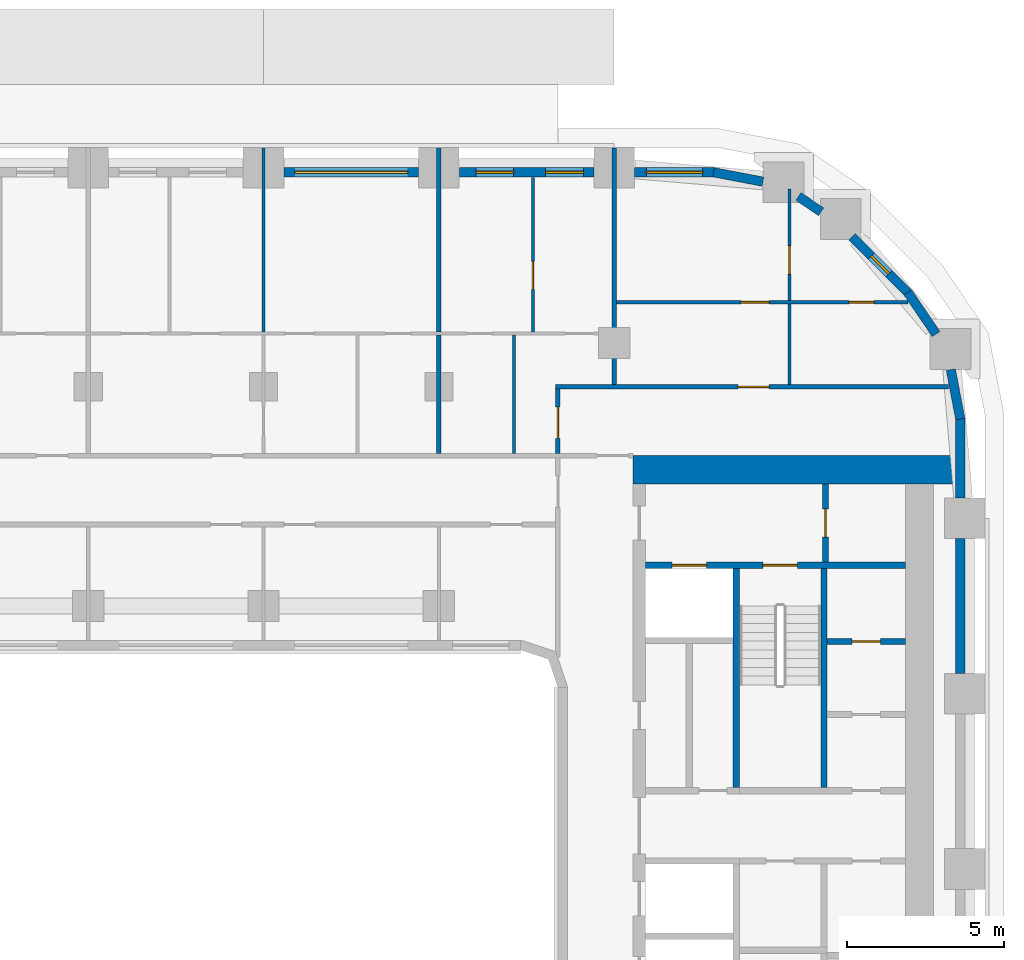
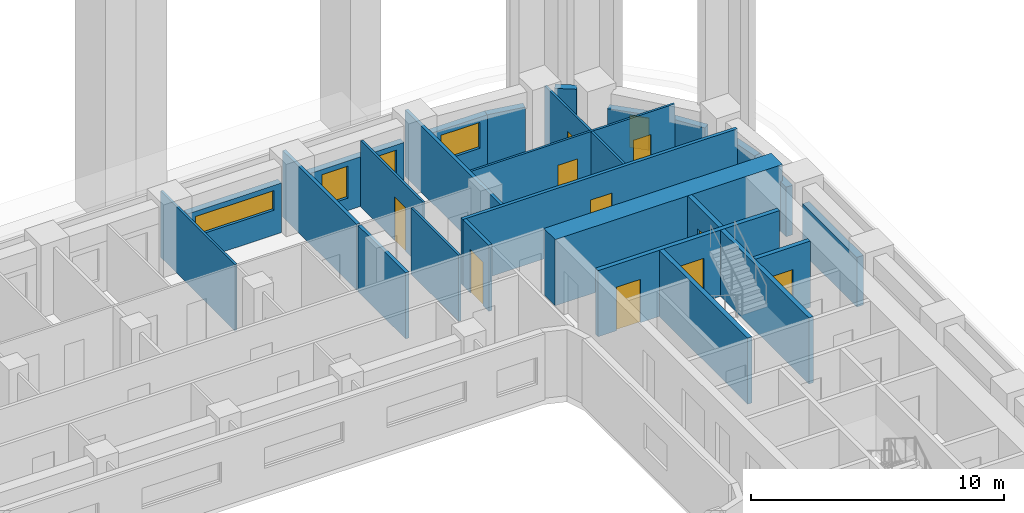
# One storey, part 10 of 19: 27 walls, 10 doors, 5 windows, 15 openings.
"""IFC4 building model written with IfcOpenShell, lengths in metres."""

from ifc_helpers import new_model, si_unit, direction, frame, frame_2d, origin, place, context, subcontext, project, spatial, rectangle, extrude, material, layer, layer_set, type_object, element, fill, save


model = new_model("IFC4")

# Units and contexts
model_context = context("Model", 3, precision=1e-05, world=origin(), true_north=direction((0.0, 1.0)))
body_context = subcontext(model_context, "Body", "Model", "MODEL_VIEW")
ifc_project = project(units=[si_unit("LENGTHUNIT", "METRE"), si_unit("AREAUNIT", "SQUARE_METRE"), si_unit("VOLUMEUNIT", "CUBIC_METRE"), si_unit("PLANEANGLEUNIT", "RADIAN"), si_unit("MASSUNIT", "GRAM", prefix="KILO")], contexts=[model_context])

# Site, building, storey
site_placement = place(None, origin())
site = spatial("IfcSite", under=ifc_project, at=site_placement, CompositionType="ELEMENT")
building_placement = place(site_placement, origin())
building = spatial("IfcBuilding", under=site, at=building_placement, Name="Kiln Ring Residences", CompositionType="ELEMENT")
storey_placement = place(building_placement, frame((0.0, 0.0, 83.300048828125)))
storey = spatial("IfcBuildingStorey", under=building, at=storey_placement, Name="L20", CompositionType="ELEMENT", Elevation=83.300048828125)

# Wall, opening, door
ifc_material_1 = material(Name="Gypsum board on steel studs", Category="steel")
ifc_layer_1 = layer(ifc_material_1, 0.199951171875)
ifc_layer_set_1 = layer_set([ifc_layer_1], Name="CORE-PARTITION-200")
wall_type_1 = type_object("IfcWallType", Name="CORE-PARTITION-200", PredefinedType="PARTITIONING", material=ifc_layer_set_1)
wall_1_placement = place(storey_placement, frame((23.550048828125, 9.800048828125, 0.0), z_axis=(0.0, 0.0, 1.0), x_axis=(0.0, 1.0, 0.0)))
wall_1 = element("IfcWall", 1, at=wall_1_placement, inside=storey, type_object=wall_type_1, Name="Core partition east L20 4", PredefinedType="PARTITIONING", context=body_context, shape_type="SweptSolid", body=[
    extrude(rectangle(XDim=2.5, YDim=0.199951171875, at=frame_2d((1.25, 0.0))), origin(), (0.0, 0.0, 1.0), 3.199951171875),
])
opening_1_placement = place(wall_1_placement, frame((0.800048828125, 0.0, 0.0)))
opening_1 = element("IfcOpeningElement", 2, at=opening_1_placement, cuts=wall_1, Name="Opening L20-CE10", PredefinedType="OPENING", context=body_context, shape_type="SweptSolid", body=[
    extrude(rectangle(XDim=0.89990234375, YDim=2.10009765625, at=frame_2d((0.449951171875, 1.050048828125))), frame((0.0, 0.10986328125, 0.0), z_axis=(0.0, -1.0, 0.0), x_axis=(1.0, 0.0, 0.0)), (0.0, 0.0, 1.0), 0.219970703125),
])
ifc_material_2 = material(Name="Steel door leaf", Category="steel")
door_type_1 = type_object("IfcDoorType", Name="CORE-DOOR-ROOM", OperationType="SINGLE_SWING_LEFT", PredefinedType="DOOR", material=ifc_material_2)
door_1_placement = place(opening_1_placement, origin())
door_1 = element("IfcDoor", 3, at=door_1_placement, inside=storey, type_object=door_type_1, Name="Fire riser room L20-CE10", OperationType="SINGLE_SWING_LEFT", OverallHeight=2.10009765625, OverallWidth=0.89990234375, PredefinedType="DOOR", context=body_context, shape_type="SweptSolid", body=[
    extrude(rectangle(XDim=0.89990234375, YDim=2.10009765625, at=frame_2d((0.449951171875, 1.050048828125))), frame((0.0, 0.02490234375, 0.0), z_axis=(0.0, -1.0, 0.0), x_axis=(1.0, 0.0, 0.0)), (0.0, 0.0, 1.0), 0.050048828125),
])
fill(opening_1, door_1)

wall_2_placement = place(storey_placement, frame((23.60009765625, 7.2666015625, 0.0), z_axis=(0.0, 0.0, 1.0), x_axis=(1.0, 0.0, 0.0)))
wall_2 = element("IfcWall", 4, at=wall_2_placement, inside=storey, type_object=wall_type_1, Name="Core partition east L20 9", PredefinedType="PARTITIONING", context=body_context, shape_type="SweptSolid", body=[
    extrude(rectangle(XDim=2.5, YDim=0.199951171875, at=frame_2d((1.25, 0.0))), origin(), (0.0, 0.0, 1.0), 3.199951171875),
])
opening_2_placement = place(wall_2_placement, frame((0.800048828125, 0.0, 0.0)))
opening_2 = element("IfcOpeningElement", 5, at=opening_2_placement, cuts=wall_2, Name="Opening L20-CE20", PredefinedType="OPENING", context=body_context, shape_type="SweptSolid", body=[
    extrude(rectangle(XDim=0.89990234375, YDim=2.10009765625, at=frame_2d((0.449951171875, 1.050048828125))), frame((0.0, 0.10986328125, 0.0), z_axis=(0.0, -1.0, 0.0), x_axis=(1.0, 0.0, 0.0)), (0.0, 0.0, 1.0), 0.219970703125),
])
door_2_placement = place(opening_2_placement, origin())
door_2 = element("IfcDoor", 6, at=door_2_placement, inside=storey, type_object=door_type_1, Name="Comms room L20-CE20", OperationType="SINGLE_SWING_RIGHT", OverallHeight=2.10009765625, OverallWidth=0.89990234375, PredefinedType="DOOR", context=body_context, shape_type="SweptSolid", body=[
    extrude(rectangle(XDim=0.89990234375, YDim=2.10009765625, at=frame_2d((0.449951171875, 1.050048828125))), frame((0.0, 0.02490234375, 0.0), z_axis=(0.0, -1.0, 0.0), x_axis=(1.0, 0.0, 0.0)), (0.0, 0.0, 1.0), 0.050048828125),
])
fill(opening_2, door_2)

# Wall
ifc_material_3 = material(Name="Concrete C40/50", Category="concrete")
ifc_layer_2 = layer(ifc_material_3, 0.199951171875)
ifc_layer_set_2 = layer_set([ifc_layer_2], Name="CORE-WALL-RC200")
wall_type_2 = type_object("IfcWallType", Name="CORE-WALL-RC200", PredefinedType="SHEAR", material=ifc_layer_set_2)
wall_3_placement = place(storey_placement, frame((20.699951171875, 2.60009765625, 0.0), z_axis=(0.0, 0.0, 1.0), x_axis=(0.0, 1.0, 0.0)))
element("IfcWall", 7, at=wall_3_placement, inside=storey, type_object=wall_type_2, Name="Core wall east L20 1", PredefinedType="SHEAR", context=body_context, shape_type="SweptSolid", body=[
    extrude(rectangle(XDim=7.0, YDim=0.199951171875, at=frame_2d((3.5, 0.0))), origin(), (0.0, 0.0, 1.0), 3.199951171875),
])

# Wall, openings, doors
wall_4_placement = place(storey_placement, frame((17.800048828125, 9.699951171875, 0.0), z_axis=(0.0, 0.0, 1.0), x_axis=(1.0, 0.0, 0.0)))
wall_4 = element("IfcWall", 8, at=wall_4_placement, inside=storey, type_object=wall_type_2, Name="Core wall east L20 9", PredefinedType="SHEAR", context=body_context, shape_type="SweptSolid", body=[
    extrude(rectangle(XDim=8.300048828125, YDim=0.199951171875, at=frame_2d((4.14990234375, 0.0))), origin(), (0.0, 0.0, 1.0), 3.199951171875),
])
opening_3_placement = place(wall_4_placement, frame((0.85009765625, 0.0, 0.0)))
opening_3 = element("IfcOpeningElement", 9, at=opening_3_placement, cuts=wall_4, Name="Opening L20-CE07", PredefinedType="OPENING", context=body_context, shape_type="SweptSolid", body=[
    extrude(rectangle(XDim=1.10009765625, YDim=2.10009765625, at=frame_2d((0.550048828125, 1.050048828125))), frame((0.0, 0.10986328125, 0.0), z_axis=(0.0, -1.0, 0.0), x_axis=(1.0, 0.0, 0.0)), (0.0, 0.0, 1.0), 0.219970703125),
])
opening_4_placement = place(wall_4_placement, frame((3.75, 0.0, 0.0)))
opening_4 = element("IfcOpeningElement", 10, at=opening_4_placement, cuts=wall_4, Name="Opening L20-CE12", PredefinedType="OPENING", context=body_context, shape_type="SweptSolid", body=[
    extrude(rectangle(XDim=1.10009765625, YDim=2.10009765625, at=frame_2d((0.550048828125, 1.050048828125))), frame((0.0, 0.10986328125, 0.0), z_axis=(0.0, -1.0, 0.0), x_axis=(1.0, 0.0, 0.0)), (0.0, 0.0, 1.0), 0.219970703125),
])
ifc_material_4 = material(Name="Steel door leaf", Category="steel")
door_type_2 = type_object("IfcDoorType", Name="CORE-DOOR-LD", OperationType="DOUBLE_DOOR_SLIDING", PredefinedType="DOOR", material=ifc_material_4)
door_3_placement = place(opening_3_placement, origin())
door_3 = element("IfcDoor", 11, at=door_3_placement, inside=storey, type_object=door_type_2, Name="LD E-FF L20-CE07", OperationType="DOUBLE_DOOR_SLIDING", OverallHeight=2.10009765625, OverallWidth=1.10009765625, PredefinedType="DOOR", context=body_context, shape_type="SweptSolid", body=[
    extrude(rectangle(XDim=1.10009765625, YDim=2.10009765625, at=frame_2d((0.550048828125, 1.050048828125))), frame((0.0, 0.02490234375, 0.0), z_axis=(0.0, -1.0, 0.0), x_axis=(1.0, 0.0, 0.0)), (0.0, 0.0, 1.0), 0.050048828125),
])
fill(opening_3, door_3)
ifc_material_5 = material(Name="Steel door leaf", Category="steel")
door_type_3 = type_object("IfcDoorType", Name="CORE-DOOR-STAIR", OperationType="SINGLE_SWING_LEFT", PredefinedType="DOOR", material=ifc_material_5)
door_4_placement = place(opening_4_placement, origin())
door_4 = element("IfcDoor", 12, at=door_4_placement, inside=storey, type_object=door_type_3, Name="Stair E-STN L20-CE12", OperationType="SINGLE_SWING_LEFT", OverallHeight=2.10009765625, OverallWidth=1.10009765625, PredefinedType="DOOR", context=body_context, shape_type="SweptSolid", body=[
    extrude(rectangle(XDim=1.10009765625, YDim=2.10009765625, at=frame_2d((0.550048828125, 1.050048828125))), frame((0.0, 0.02490234375, 0.0), z_axis=(0.0, -1.0, 0.0), x_axis=(1.0, 0.0, 0.0)), (0.0, 0.0, 1.0), 0.050048828125),
])
fill(opening_4, door_4)

# Walls
wall_5_placement = place(storey_placement, frame((23.5, 2.60009765625, 0.0), z_axis=(0.0, 0.0, 1.0), x_axis=(0.0, 1.0, 0.0)))
element("IfcWall", 13, at=wall_5_placement, inside=storey, type_object=wall_type_2, Name="Core wall east L20 10", PredefinedType="SHEAR", context=body_context, shape_type="SweptSolid", body=[
    extrude(rectangle(XDim=7.0, YDim=0.199951171875, at=frame_2d((3.5, 0.0))), origin(), (0.0, 0.0, 1.0), 3.199951171875),
])
ifc_material_6 = material(Name="Concrete C60/75", Category="concrete")
ifc_layer_3 = layer(ifc_material_6, 0.89990234375)
ifc_layer_set_3 = layer_set([ifc_layer_3], Name="CORE-WALL-RC900")
wall_type_3 = type_object("IfcWallType", Name="CORE-WALL-RC900", PredefinedType="SHEAR", material=ifc_layer_set_3)
wall_6_placement = place(storey_placement, frame((17.39990234375, 12.75, 0.0), z_axis=(0.0, 0.0, 1.0), x_axis=(1.0, 0.0, 0.0)))
element("IfcWall", 14, at=wall_6_placement, inside=storey, type_object=wall_type_3, Name="Core wall east L20 4", PredefinedType="SHEAR", context=body_context, shape_type="SweptSolid", body=[
    extrude(rectangle(XDim=10.400146484375, YDim=0.89990234375, at=frame_2d((5.2001953125, 0.0))), origin(), (0.0, 0.0, 1.0), 3.199951171875),
])
ifc_material_7 = material(Name="Brick masonry, dark clay brick", Category="masonry")
ifc_layer_4 = layer(ifc_material_7, 0.300048828125)
ifc_layer_set_4 = layer_set([ifc_layer_4], Name="EW-300 BRICK WALL")
wall_type_4 = type_object("IfcWallType", Name="EW-300 BRICK WALL", PredefinedType="SOLIDWALL", material=ifc_layer_set_4)
wall_7_placement = place(storey_placement, frame((27.85009765625, 6.25, 0.0), z_axis=(0.0, 0.0, 1.0), x_axis=(0.0, 1.0, 0.0)))
element("IfcWall", 15, at=wall_7_placement, inside=storey, type_object=wall_type_4, Name="Facade wall L20 21", PredefinedType="SOLIDWALL", context=body_context, shape_type="SweptSolid", body=[
    extrude(rectangle(XDim=4.300048828125, YDim=0.300048828125, at=frame_2d((2.14990234375, 0.0))), origin(), (0.0, 0.0, 1.0), 2.39990234375),
])
wall_8_placement = place(storey_placement, frame((27.85009765625, 11.85009765625, 0.0), z_axis=(0.0, 0.0, 1.0), x_axis=(0.0, 1.0, 0.0)))
element("IfcWall", 16, at=wall_8_placement, inside=storey, type_object=wall_type_4, Name="Facade wall L20 22", PredefinedType="SOLIDWALL", context=body_context, shape_type="SweptSolid", body=[
    extrude(rectangle(XDim=2.5498046875, YDim=0.300048828125, at=frame_2d((1.27490234375, 0.0))), origin(), (0.0, 0.0, 1.0), 2.39990234375),
])
for number, where, z_axis, x_axis, name in (
    (17, (27.8525390625, 14.371826171875, 0.0), (0.0, 0.0, 1.0), (-0.187279751651, 0.982306619453, 0.0), "Facade wall L20 23"),
    (18, (27.08154296875, 17.08447265625, 0.0), (0.0, 0.0, 1.0), (-0.562010605531, 0.827130025613, 0.0), "Facade wall L20 24"),
):
    element("IfcWall", number, at=place(storey_placement, frame(where, z_axis=z_axis, x_axis=x_axis)), inside=storey, type_object=wall_type_4, Name=name, PredefinedType="SOLIDWALL", context=body_context, shape_type="SweptSolid", body=[
        extrude(rectangle(XDim=1.60595703125, YDim=0.300048828125, at=frame_2d((0.802978515625, 0.0))), origin(), (0.0, 0.0, 1.0), 2.39990234375),
    ])

# Wall, opening, window
wall_9_placement = place(storey_placement, frame((26.19677734375, 18.390869140625, 0.0), z_axis=(0.0, 0.0, 1.0), x_axis=(-0.707058908279, 0.707154650853, 0.0)))
wall_9 = element("IfcWall", 19, at=wall_9_placement, inside=storey, type_object=wall_type_4, Name="Facade wall L20 25", PredefinedType="SOLIDWALL", context=body_context, shape_type="SweptSolid", body=[
    extrude(rectangle(XDim=2.550048828125, YDim=0.300048828125, at=frame_2d((1.27490234375, 0.0))), origin(), (0.0, 0.0, 1.0), 2.39990234375),
])
opening_5_placement = place(wall_9_placement, frame((0.875, 0.0, 0.60009765625)))
opening_5 = element("IfcOpeningElement", 20, at=opening_5_placement, cuts=wall_9, Name="Opening W5", PredefinedType="OPENING", context=body_context, shape_type="SweptSolid", body=[
    extrude(rectangle(XDim=0.800048828125, YDim=1.550048828125, at=frame_2d((0.39990234375, 0.77490234375))), frame((0.0, 0.159912109375, 0.0), z_axis=(0.0, -1.0, 0.0), x_axis=(1.0, 0.0, 0.0)), (0.0, 0.0, 1.0), 0.320068359375),
])
ifc_material_8 = material(Name="Aluminium frame with double glazing", Category="aluminium")
window_type_1 = type_object("IfcWindowType", Name="WINDOW 800 x 1550", PartitioningType="SINGLE_PANEL", PredefinedType="WINDOW", material=ifc_material_8)
window_1_placement = place(opening_5_placement, origin())
window_1 = element("IfcWindow", 21, at=window_1_placement, inside=storey, type_object=window_type_1, Name="Window L20 15", OverallHeight=1.550048828125, OverallWidth=0.800048828125, PartitioningType="SINGLE_PANEL", PredefinedType="WINDOW", context=body_context, shape_type="SweptSolid", body=[
    extrude(rectangle(XDim=0.800048828125, YDim=1.550048828125, at=frame_2d((0.39990234375, 0.77490234375))), frame((0.0, 0.030029296875, 0.0), z_axis=(0.0, -1.0, 0.0), x_axis=(1.0, 0.0, 0.0)), (0.0, 0.0, 1.0), 0.06005859375),
])
fill(opening_5, window_1)

# Walls
wall_10_placement = place(storey_placement, frame((23.409912109375, 20.988525390625, 0.0), z_axis=(0.0, 0.0, 1.0), x_axis=(-0.827050703543, 0.562127328787, 0.0)))
element("IfcWall", 22, at=wall_10_placement, inside=storey, type_object=wall_type_4, Name="Facade wall L20 26", PredefinedType="SOLIDWALL", context=body_context, shape_type="SweptSolid", body=[
    extrude(rectangle(XDim=0.877197265625, YDim=0.300048828125, at=frame_2d((0.4384765625, 0.0))), origin(), (0.0, 0.0, 1.0), 3.199951171875),
])
wall_11_placement = place(storey_placement, frame((21.549560546875, 21.95166015625, 0.0), z_axis=(0.0, 0.0, 1.0), x_axis=(-0.982278644094, 0.187426426519, 0.0)))
element("IfcWall", 23, at=wall_11_placement, inside=storey, type_object=wall_type_4, Name="Facade wall L20 27", PredefinedType="SOLIDWALL", context=body_context, shape_type="SweptSolid", body=[
    extrude(rectangle(XDim=1.606201171875, YDim=0.300048828125, at=frame_2d((0.80322265625, 0.0))), origin(), (0.0, 0.0, 1.0), 2.39990234375),
])

# Wall, opening, window
wall_12_placement = place(storey_placement, frame((20.0, 22.25, 0.0), z_axis=(0.0, 0.0, 1.0), x_axis=(-1.0, 0.0, 0.0)))
wall_12 = element("IfcWall", 24, at=wall_12_placement, inside=storey, type_object=wall_type_4, Name="Facade wall L20 28", PredefinedType="SOLIDWALL", context=body_context, shape_type="SweptSolid", body=[
    extrude(rectangle(XDim=2.550048828125, YDim=0.300048828125, at=frame_2d((1.27490234375, 0.0))), origin(), (0.0, 0.0, 1.0), 2.39990234375),
])
opening_6_placement = place(wall_12_placement, frame((0.375, 0.0, 0.89990234375)))
opening_6 = element("IfcOpeningElement", 25, at=opening_6_placement, cuts=wall_12, Name="Opening W2", PredefinedType="OPENING", context=body_context, shape_type="SweptSolid", body=[
    extrude(rectangle(XDim=1.800048828125, YDim=1.25, at=frame_2d((0.89990234375, 0.625))), frame((0.0, 0.159912109375, 0.0), z_axis=(0.0, -1.0, 0.0), x_axis=(1.0, 0.0, 0.0)), (0.0, 0.0, 1.0), 0.320068359375),
])
ifc_material_9 = material(Name="Aluminium frame with double glazing", Category="aluminium")
window_type_2 = type_object("IfcWindowType", Name="WINDOW 1800 x 1250", PartitioningType="SINGLE_PANEL", PredefinedType="WINDOW", material=ifc_material_9)
window_2_placement = place(opening_6_placement, origin())
window_2 = element("IfcWindow", 26, at=window_2_placement, inside=storey, type_object=window_type_2, Name="Window L20 16", OverallHeight=1.25, OverallWidth=1.800048828125, PartitioningType="SINGLE_PANEL", PredefinedType="WINDOW", context=body_context, shape_type="SweptSolid", body=[
    extrude(rectangle(XDim=1.800048828125, YDim=1.25, at=frame_2d((0.89990234375, 0.625))), frame((0.0, 0.030029296875, 0.0), z_axis=(0.0, -1.0, 0.0), x_axis=(1.0, 0.0, 0.0)), (0.0, 0.0, 1.0), 0.06005859375),
])
fill(opening_6, window_2)

# Wall, openings, windows
wall_13_placement = place(storey_placement, frame((16.14990234375, 22.25, 0.0), z_axis=(0.0, 0.0, 1.0), x_axis=(-1.0, 0.0, 0.0)))
wall_13 = element("IfcWall", 27, at=wall_13_placement, inside=storey, type_object=wall_type_4, Name="Facade wall L20 29", PredefinedType="SOLIDWALL", context=body_context, shape_type="SweptSolid", body=[
    extrude(rectangle(XDim=4.2998046875, YDim=0.300048828125, at=frame_2d((2.14990234375, 0.0))), origin(), (0.0, 0.0, 1.0), 2.39990234375),
])
opening_7_placement = place(wall_13_placement, frame((0.33740234375, 0.0, 0.60009765625)))
opening_7 = element("IfcOpeningElement", 28, at=opening_7_placement, cuts=wall_13, Name="Opening W1", PredefinedType="OPENING", context=body_context, shape_type="SweptSolid", body=[
    extrude(rectangle(XDim=1.199951171875, YDim=1.550048828125, at=frame_2d((0.60009765625, 0.77490234375))), frame((0.0, 0.159912109375, 0.0), z_axis=(0.0, -1.0, 0.0), x_axis=(1.0, 0.0, 0.0)), (0.0, 0.0, 1.0), 0.320068359375),
])
opening_8_placement = place(wall_13_placement, frame((2.5625, 0.0, 0.60009765625)))
opening_8 = element("IfcOpeningElement", 29, at=opening_8_placement, cuts=wall_13, Name="Opening W1", PredefinedType="OPENING", context=body_context, shape_type="SweptSolid", body=[
    extrude(rectangle(XDim=1.199951171875, YDim=1.550048828125, at=frame_2d((0.60009765625, 0.77490234375))), frame((0.0, 0.159912109375, 0.0), z_axis=(0.0, -1.0, 0.0), x_axis=(1.0, 0.0, 0.0)), (0.0, 0.0, 1.0), 0.320068359375),
])
ifc_material_10 = material(Name="Aluminium frame with double glazing", Category="aluminium")
window_type_3 = type_object("IfcWindowType", Name="WINDOW 1200 x 1550", PartitioningType="SINGLE_PANEL", PredefinedType="WINDOW", material=ifc_material_10)
window_3_placement = place(opening_7_placement, origin())
window_3 = element("IfcWindow", 30, at=window_3_placement, inside=storey, type_object=window_type_3, Name="Window L20 17", OverallHeight=1.550048828125, OverallWidth=1.199951171875, PartitioningType="SINGLE_PANEL", PredefinedType="WINDOW", context=body_context, shape_type="SweptSolid", body=[
    extrude(rectangle(XDim=1.199951171875, YDim=1.550048828125, at=frame_2d((0.60009765625, 0.77490234375))), frame((0.0, 0.030029296875, 0.0), z_axis=(0.0, -1.0, 0.0), x_axis=(1.0, 0.0, 0.0)), (0.0, 0.0, 1.0), 0.06005859375),
])
fill(opening_7, window_3)
window_4_placement = place(opening_8_placement, origin())
window_4 = element("IfcWindow", 31, at=window_4_placement, inside=storey, type_object=window_type_3, Name="Window L20 18", OverallHeight=1.550048828125, OverallWidth=1.199951171875, PartitioningType="SINGLE_PANEL", PredefinedType="WINDOW", context=body_context, shape_type="SweptSolid", body=[
    extrude(rectangle(XDim=1.199951171875, YDim=1.550048828125, at=frame_2d((0.60009765625, 0.77490234375))), frame((0.0, 0.030029296875, 0.0), z_axis=(0.0, -1.0, 0.0), x_axis=(1.0, 0.0, 0.0)), (0.0, 0.0, 1.0), 0.06005859375),
])
fill(opening_8, window_4)

# Wall, opening, window
wall_14_placement = place(storey_placement, frame((10.550048828125, 22.25, 0.0), z_axis=(0.0, 0.0, 1.0), x_axis=(-1.0, 0.0, 0.0)))
wall_14 = element("IfcWall", 32, at=wall_14_placement, inside=storey, type_object=wall_type_4, Name="Facade wall L20 30", PredefinedType="SOLIDWALL", context=body_context, shape_type="SweptSolid", body=[
    extrude(rectangle(XDim=4.300048828125, YDim=0.300048828125, at=frame_2d((2.14990234375, 0.0))), origin(), (0.0, 0.0, 1.0), 2.39990234375),
])
opening_9_placement = place(wall_14_placement, frame((0.35009765625, 0.0, 1.199951171875)))
opening_9 = element("IfcOpeningElement", 33, at=opening_9_placement, cuts=wall_14, Name="Opening W4", PredefinedType="OPENING", context=body_context, shape_type="SweptSolid", body=[
    extrude(rectangle(XDim=3.60009765625, YDim=0.949951171875, at=frame_2d((1.800048828125, 0.47509765625))), frame((0.0, 0.159912109375, 0.0), z_axis=(0.0, -1.0, 0.0), x_axis=(1.0, 0.0, 0.0)), (0.0, 0.0, 1.0), 0.320068359375),
])
ifc_material_11 = material(Name="Aluminium frame with double glazing", Category="aluminium")
window_type_4 = type_object("IfcWindowType", Name="WINDOW 3600 x 950", PartitioningType="SINGLE_PANEL", PredefinedType="WINDOW", material=ifc_material_11)
window_5_placement = place(opening_9_placement, origin())
window_5 = element("IfcWindow", 34, at=window_5_placement, inside=storey, type_object=window_type_4, Name="Window L20 19", OverallHeight=0.949951171875, OverallWidth=3.60009765625, PartitioningType="SINGLE_PANEL", PredefinedType="WINDOW", context=body_context, shape_type="SweptSolid", body=[
    extrude(rectangle(XDim=3.60009765625, YDim=0.949951171875, at=frame_2d((1.800048828125, 0.47509765625))), frame((0.0, 0.030029296875, 0.0), z_axis=(0.0, -1.0, 0.0), x_axis=(1.0, 0.0, 0.0)), (0.0, 0.0, 1.0), 0.06005859375),
])
fill(opening_9, window_5)

# Wall, openings, doors
ifc_material_12 = material(Name="Gypsum board on steel studs", Category="steel")
ifc_layer_5 = layer(ifc_material_12, 0.10009765625)
ifc_layer_set_5 = layer_set([ifc_layer_5], Name="PARTITION-100")
wall_type_5 = type_object("IfcWallType", Name="PARTITION-100", PredefinedType="PARTITIONING", material=ifc_layer_set_5)
wall_15_placement = place(storey_placement, frame((16.875, 18.10009765625, 0.0), z_axis=(0.0, 0.0, 1.0), x_axis=(1.0, 0.0, 0.0)))
wall_15 = element("IfcWall", 35, at=wall_15_placement, inside=storey, type_object=wall_type_5, Name="Partition 013", PredefinedType="PARTITIONING", context=body_context, shape_type="SweptSolid", body=[
    extrude(rectangle(XDim=9.315185546875, YDim=0.10009765625, at=frame_2d((4.65771484375, 0.0))), origin(), (0.0, 0.0, 1.0), 3.199951171875),
])
opening_10_placement = place(wall_15_placement, frame((7.425048828125, 0.0, 0.0)))
opening_10 = element("IfcOpeningElement", 36, at=opening_10_placement, cuts=wall_15, Name="Opening L20-D036", PredefinedType="OPENING", context=body_context, shape_type="SweptSolid", body=[
    extrude(rectangle(XDim=0.800048828125, YDim=2.10009765625, at=frame_2d((0.39990234375, 1.050048828125))), frame((0.0, 0.06005859375, 0.0), z_axis=(0.0, -1.0, 0.0), x_axis=(1.0, 0.0, 0.0)), (0.0, 0.0, 1.0), 0.1201171875),
])
opening_11_placement = place(wall_15_placement, frame((3.97509765625, 0.0, 0.0)))
opening_11 = element("IfcOpeningElement", 37, at=opening_11_placement, cuts=wall_15, Name="Opening L20-D037", PredefinedType="OPENING", context=body_context, shape_type="SweptSolid", body=[
    extrude(rectangle(XDim=0.89990234375, YDim=2.10009765625, at=frame_2d((0.449951171875, 1.050048828125))), frame((0.0, 0.06005859375, 0.0), z_axis=(0.0, -1.0, 0.0), x_axis=(1.0, 0.0, 0.0)), (0.0, 0.0, 1.0), 0.1201171875),
])
ifc_material_13 = material(Name="Timber door leaf", Category="wood")
door_type_4 = type_object("IfcDoorType", Name="FLAT-DOOR-800-PL", OperationType="SINGLE_SWING_LEFT", PredefinedType="DOOR", material=ifc_material_13)
door_5_placement = place(opening_10_placement, origin())
door_5 = element("IfcDoor", 38, at=door_5_placement, inside=storey, type_object=door_type_4, Name="Door L20-D036", OperationType="SINGLE_SWING_RIGHT", OverallHeight=2.10009765625, OverallWidth=0.800048828125, PredefinedType="DOOR", context=body_context, shape_type="SweptSolid", body=[
    extrude(rectangle(XDim=0.800048828125, YDim=2.10009765625, at=frame_2d((0.39990234375, 1.050048828125))), frame((0.0, 0.02490234375, 0.0), z_axis=(0.0, -1.0, 0.0), x_axis=(1.0, 0.0, 0.0)), (0.0, 0.0, 1.0), 0.050048828125),
])
fill(opening_10, door_5)
ifc_material_14 = material(Name="Timber door leaf", Category="wood")
door_type_5 = type_object("IfcDoorType", Name="FLAT-DOOR-900-PL", OperationType="SINGLE_SWING_LEFT", PredefinedType="DOOR", material=ifc_material_14)
door_6_placement = place(opening_11_placement, origin())
door_6 = element("IfcDoor", 39, at=door_6_placement, inside=storey, type_object=door_type_5, Name="Door L20-D037", OperationType="SINGLE_SWING_LEFT", OverallHeight=2.10009765625, OverallWidth=0.89990234375, PredefinedType="DOOR", context=body_context, shape_type="SweptSolid", body=[
    extrude(rectangle(XDim=0.89990234375, YDim=2.10009765625, at=frame_2d((0.449951171875, 1.050048828125))), frame((0.0, 0.02490234375, 0.0), z_axis=(0.0, -1.0, 0.0), x_axis=(1.0, 0.0, 0.0)), (0.0, 0.0, 1.0), 0.050048828125),
])
fill(opening_11, door_6)

# Walls
wall_16_placement = place(storey_placement, frame((5.60009765625, 17.14990234375, 0.0), z_axis=(0.0, 0.0, 1.0), x_axis=(0.0, 1.0, 0.0)))
element("IfcWall", 40, at=wall_16_placement, inside=storey, type_object=wall_type_5, Name="Partition 058", PredefinedType="PARTITIONING", context=body_context, shape_type="SweptSolid", body=[
    extrude(rectangle(XDim=5.880126953125, YDim=0.10009765625, at=frame_2d((2.93994140625, 0.0))), origin(), (0.0, 0.0, 1.0), 3.199951171875),
])
wall_17_placement = place(storey_placement, frame((13.60009765625, 13.27490234375, 0.0), z_axis=(0.0, 0.0, 1.0), x_axis=(0.0, 1.0, 0.0)))
element("IfcWall", 41, at=wall_17_placement, inside=storey, type_object=wall_type_5, Name="Partition 071", PredefinedType="PARTITIONING", context=body_context, shape_type="SweptSolid", body=[
    extrude(rectangle(XDim=3.775146484375, YDim=0.10009765625, at=frame_2d((1.8876953125, 0.0))), origin(), (0.0, 0.0, 1.0), 3.199951171875),
])

# Wall, opening, door
wall_18_placement = place(storey_placement, frame((14.199951171875, 17.14990234375, 0.0), z_axis=(0.0, 0.0, 1.0), x_axis=(0.0, 1.0, 0.0)))
wall_18 = element("IfcWall", 42, at=wall_18_placement, inside=storey, type_object=wall_type_5, Name="Partition 073", PredefinedType="PARTITIONING", context=body_context, shape_type="SweptSolid", body=[
    extrude(rectangle(XDim=4.93017578125, YDim=0.10009765625, at=frame_2d((2.465087890625, 0.0))), origin(), (0.0, 0.0, 1.0), 3.199951171875),
])
opening_12_placement = place(wall_18_placement, frame((1.360107421875, 0.0, 0.0)))
opening_12 = element("IfcOpeningElement", 43, at=opening_12_placement, cuts=wall_18, Name="Opening L20-D034", PredefinedType="OPENING", context=body_context, shape_type="SweptSolid", body=[
    extrude(rectangle(XDim=0.89990234375, YDim=2.10009765625, at=frame_2d((0.449951171875, 1.050048828125))), frame((0.0, 0.06005859375, 0.0), z_axis=(0.0, -1.0, 0.0), x_axis=(1.0, 0.0, 0.0)), (0.0, 0.0, 1.0), 0.1201171875),
])
door_7_placement = place(opening_12_placement, origin())
door_7 = element("IfcDoor", 44, at=door_7_placement, inside=storey, type_object=door_type_5, Name="Door L20-D034", OperationType="SINGLE_SWING_RIGHT", OverallHeight=2.10009765625, OverallWidth=0.89990234375, PredefinedType="DOOR", context=body_context, shape_type="SweptSolid", body=[
    extrude(rectangle(XDim=0.89990234375, YDim=2.10009765625, at=frame_2d((0.449951171875, 1.050048828125))), frame((0.0, 0.02490234375, 0.0), z_axis=(0.0, -1.0, 0.0), x_axis=(1.0, 0.0, 0.0)), (0.0, 0.0, 1.0), 0.050048828125),
])
fill(opening_12, door_7)

# Wall
wall_19_placement = place(storey_placement, frame((22.39990234375, 15.47509765625, 0.0), z_axis=(0.0, 0.0, 1.0), x_axis=(0.0, 1.0, 0.0)))
element("IfcWall", 45, at=wall_19_placement, inside=storey, type_object=wall_type_5, Name="Partition 082", PredefinedType="PARTITIONING", context=body_context, shape_type="SweptSolid", body=[
    extrude(rectangle(XDim=2.574951171875, YDim=0.10009765625, at=frame_2d((1.28759765625, 0.0))), origin(), (0.0, 0.0, 1.0), 3.199951171875),
])

# Wall, opening, door
wall_20_placement = place(storey_placement, frame((22.39990234375, 18.14990234375, 0.0), z_axis=(0.0, 0.0, 1.0), x_axis=(0.0, 1.0, 0.0)))
wall_20 = element("IfcWall", 46, at=wall_20_placement, inside=storey, type_object=wall_type_5, Name="Partition 083", PredefinedType="PARTITIONING", context=body_context, shape_type="SweptSolid", body=[
    extrude(rectangle(XDim=3.570068359375, YDim=0.10009765625, at=frame_2d((1.78515625, 0.0))), origin(), (0.0, 0.0, 1.0), 3.199951171875),
])
opening_13_placement = place(wall_20_placement, frame((0.85009765625, 0.0, 0.0)))
opening_13 = element("IfcOpeningElement", 47, at=opening_13_placement, cuts=wall_20, Name="Opening L20-D038", PredefinedType="OPENING", context=body_context, shape_type="SweptSolid", body=[
    extrude(rectangle(XDim=0.89990234375, YDim=2.10009765625, at=frame_2d((0.449951171875, 1.050048828125))), frame((0.0, 0.06005859375, 0.0), z_axis=(0.0, -1.0, 0.0), x_axis=(1.0, 0.0, 0.0)), (0.0, 0.0, 1.0), 0.1201171875),
])
door_8_placement = place(opening_13_placement, origin())
door_8 = element("IfcDoor", 48, at=door_8_placement, inside=storey, type_object=door_type_5, Name="Door L20-D038", OperationType="SINGLE_SWING_LEFT", OverallHeight=2.10009765625, OverallWidth=0.89990234375, PredefinedType="DOOR", context=body_context, shape_type="SweptSolid", body=[
    extrude(rectangle(XDim=0.89990234375, YDim=2.10009765625, at=frame_2d((0.449951171875, 1.050048828125))), frame((0.0, 0.02490234375, 0.0), z_axis=(0.0, -1.0, 0.0), x_axis=(1.0, 0.0, 0.0)), (0.0, 0.0, 1.0), 0.050048828125),
])
fill(opening_13, door_8)

ifc_material_15 = material(Name="Brick masonry partition", Category="masonry")
ifc_layer_6 = layer(ifc_material_15, 0.14990234375)
ifc_layer_set_6 = layer_set([ifc_layer_6], Name="PARTITION-150-ei60")
wall_type_6 = type_object("IfcWallType", Name="PARTITION-150-ei60", PredefinedType="PARTITIONING", material=ifc_layer_set_6)
wall_21_placement = place(storey_placement, frame((14.925048828125, 15.39990234375, 0.0), z_axis=(0.0, 0.0, 1.0), x_axis=(1.0, 0.0, 0.0)))
wall_21 = element("IfcWall", 49, at=wall_21_placement, inside=storey, type_object=wall_type_6, Name="Partition 010", PredefinedType="PARTITIONING", context=body_context, shape_type="SweptSolid", body=[
    extrude(rectangle(XDim=12.558837890625, YDim=0.14990234375, at=frame_2d((6.279296875, 0.0))), origin(), (0.0, 0.0, 1.0), 3.199951171875),
])
opening_14_placement = place(wall_21_placement, frame((5.824951171875, 0.0, 0.0)))
opening_14 = element("IfcOpeningElement", 50, at=opening_14_placement, cuts=wall_21, Name="Opening L20-D035", PredefinedType="OPENING", context=body_context, shape_type="SweptSolid", body=[
    extrude(rectangle(XDim=1.0, YDim=2.10009765625, at=frame_2d((0.5, 1.050048828125))), frame((0.0, 0.0849609375, 0.0), z_axis=(0.0, -1.0, 0.0), x_axis=(1.0, 0.0, 0.0)), (0.0, 0.0, 1.0), 0.169921875),
])
ifc_material_16 = material(Name="Steel faced fire door leaf", Category="steel")
door_type_6 = type_object("IfcDoorType", Name="FLAT-DOOR-1000-FR", OperationType="SINGLE_SWING_LEFT", PredefinedType="DOOR", material=ifc_material_16)
door_9_placement = place(opening_14_placement, origin())
door_9 = element("IfcDoor", 51, at=door_9_placement, inside=storey, type_object=door_type_6, Name="Door L20-D035", OperationType="SINGLE_SWING_LEFT", OverallHeight=2.10009765625, OverallWidth=1.0, PredefinedType="DOOR", context=body_context, shape_type="SweptSolid", body=[
    extrude(rectangle(XDim=1.0, YDim=2.10009765625, at=frame_2d((0.5, 1.050048828125))), frame((0.0, 0.02490234375, 0.0), z_axis=(0.0, -1.0, 0.0), x_axis=(1.0, 0.0, 0.0)), (0.0, 0.0, 1.0), 0.050048828125),
])
fill(opening_14, door_9)

# Walls
wall_22_placement = place(storey_placement, frame((11.199951171875, 13.27490234375, 0.0), z_axis=(0.0, 0.0, 1.0), x_axis=(0.0, 1.0, 0.0)))
element("IfcWall", 52, at=wall_22_placement, inside=storey, type_object=wall_type_6, Name="Partition 068", PredefinedType="PARTITIONING", context=body_context, shape_type="SweptSolid", body=[
    extrude(rectangle(XDim=3.775146484375, YDim=0.14990234375, at=frame_2d((1.8876953125, 0.0))), origin(), (0.0, 0.0, 1.0), 3.199951171875),
])
wall_23_placement = place(storey_placement, frame((11.199951171875, 17.14990234375, 0.0), z_axis=(0.0, 0.0, 1.0), x_axis=(0.0, 1.0, 0.0)))
element("IfcWall", 53, at=wall_23_placement, inside=storey, type_object=wall_type_6, Name="Partition 069", PredefinedType="PARTITIONING", context=body_context, shape_type="SweptSolid", body=[
    extrude(rectangle(XDim=5.880126953125, YDim=0.14990234375, at=frame_2d((2.93994140625, 0.0))), origin(), (0.0, 0.0, 1.0), 3.199951171875),
])

# Wall, opening, door
wall_24_placement = place(storey_placement, frame((15.0, 13.27490234375, 0.0), z_axis=(0.0, 0.0, 1.0), x_axis=(0.0, 1.0, 0.0)))
wall_24 = element("IfcWall", 54, at=wall_24_placement, inside=storey, type_object=wall_type_6, Name="Partition 077", PredefinedType="PARTITIONING", context=body_context, shape_type="SweptSolid", body=[
    extrude(rectangle(XDim=2.050048828125, YDim=0.14990234375, at=frame_2d((1.02490234375, 0.0))), origin(), (0.0, 0.0, 1.0), 3.199951171875),
])
opening_15_placement = place(wall_24_placement, frame((0.47607421875, 0.0, 0.0)))
opening_15 = element("IfcOpeningElement", 55, at=opening_15_placement, cuts=wall_24, Name="Opening L20-D031", PredefinedType="OPENING", context=body_context, shape_type="SweptSolid", body=[
    extrude(rectangle(XDim=1.0, YDim=2.10009765625, at=frame_2d((0.5, 1.050048828125))), frame((0.0, 0.0849609375, 0.0), z_axis=(0.0, -1.0, 0.0), x_axis=(1.0, 0.0, 0.0)), (0.0, 0.0, 1.0), 0.169921875),
])
door_10_placement = place(opening_15_placement, origin())
door_10 = element("IfcDoor", 56, at=door_10_placement, inside=storey, type_object=door_type_6, Name="Door L20-D031", OperationType="SINGLE_SWING_LEFT", OverallHeight=2.10009765625, OverallWidth=1.0, PredefinedType="DOOR", context=body_context, shape_type="SweptSolid", body=[
    extrude(rectangle(XDim=1.0, YDim=2.10009765625, at=frame_2d((0.5, 1.050048828125))), frame((0.0, 0.02490234375, 0.0), z_axis=(0.0, -1.0, 0.0), x_axis=(1.0, 0.0, 0.0)), (0.0, 0.0, 1.0), 0.050048828125),
])
fill(opening_15, door_10)

# Wall
wall_25_placement = place(storey_placement, frame((16.800048828125, 15.47509765625, 0.0), z_axis=(0.0, 0.0, 1.0), x_axis=(0.0, 1.0, 0.0)))
element("IfcWall", 57, at=wall_25_placement, inside=storey, type_object=wall_type_6, Name="Partition 079", PredefinedType="PARTITIONING", context=body_context, shape_type="SweptSolid", body=[
    extrude(rectangle(XDim=7.554931640625, YDim=0.14990234375, at=frame_2d((3.77734375, 0.0))), origin(), (0.0, 0.0, 1.0), 3.199951171875),
])

save(model, "model.ifc")
